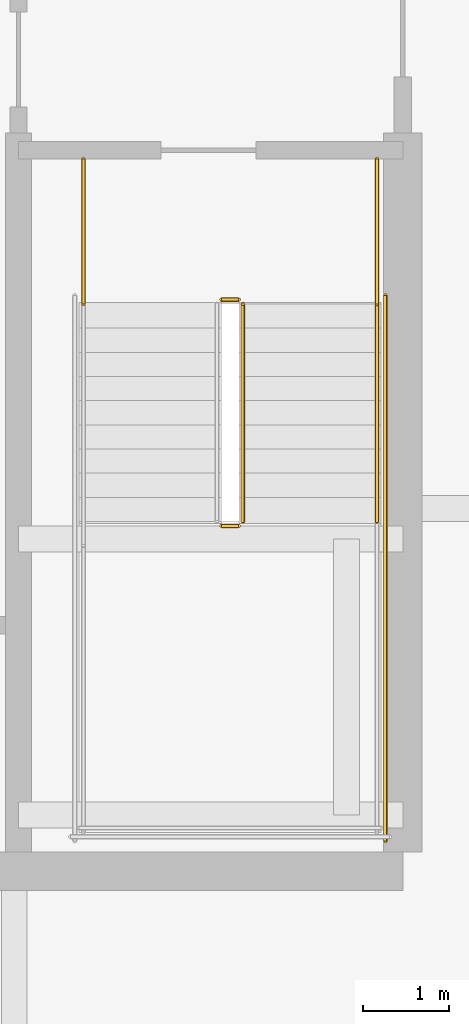
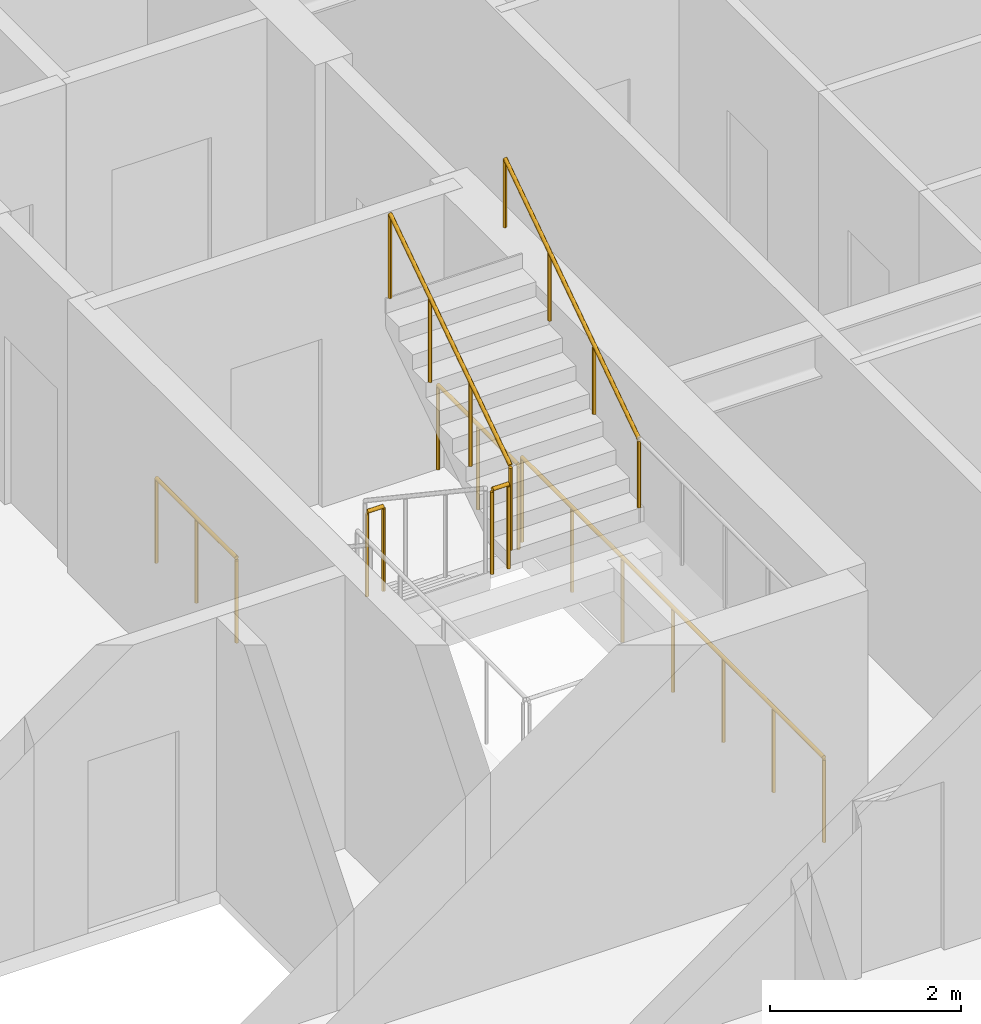
# One storey, part 33 of 35: 7 railings.
"""IFC4 building model written with IfcOpenShell, lengths in metres."""

from ifc_helpers import new_model, si_unit, direction, frame, origin, origin_2d, place, context, subcontext, project, spatial, circle, extrude, material, type_object, element, save


model = new_model("IFC4")

# Units and contexts
model_context = context("Model", 3, precision=1e-05, world=origin(), true_north=direction((0.0, 1.0)))
body_context = subcontext(model_context, "Body", "Model", "MODEL_VIEW")
ifc_project = project(units=[si_unit("LENGTHUNIT", "METRE"), si_unit("AREAUNIT", "SQUARE_METRE"), si_unit("VOLUMEUNIT", "CUBIC_METRE"), si_unit("PLANEANGLEUNIT", "RADIAN"), si_unit("MASSUNIT", "GRAM", prefix="KILO")], contexts=[model_context])

# Site, building, storey
site_placement = place(None, origin())
site = spatial("IfcSite", under=ifc_project, at=site_placement, CompositionType="ELEMENT")
building_placement = place(site_placement, origin())
building = spatial("IfcBuilding", under=site, at=building_placement, Name="Serunith Strait Residences", CompositionType="ELEMENT")
storey_placement = place(building_placement, frame((0.0, 0.0, 56.699951171875)))
storey = spatial("IfcBuildingStorey", under=building, at=storey_placement, Name="L13", CompositionType="ELEMENT", Elevation=56.699951171875)

# Railings
ifc_material = material(Name="Brushed stainless steel 316L", Category="steel")
railing_type_1 = type_object("IfcRailingType", Name="RLG-STAIR-GUARD", PredefinedType="BALUSTRADE", material=ifc_material)
railing_1_placement = place(storey_placement, frame((39.300048828125, 20.800048828125, 1.875)))
element("IfcRailing", 1, at=railing_1_placement, inside=storey, type_object=railing_type_1, Name="L13 ST-2 stair guard 2", PredefinedType="BALUSTRADE", context=body_context, shape_type="SweptSolid", body=[
    extrude(circle(Radius=0.02392578125, at=origin_2d()), frame((0.001953125, 0.0, 1.076171875), z_axis=(1.0, 0.0, 0.0), x_axis=(0.0, 1.0, 0.0)), (0.0, 0.0, 1.0), 0.196044921875),
    extrude(circle(Radius=0.02099609375, at=origin_2d()), origin(), (0.0, 0.0, 1.0), 1.050048828125),
    extrude(circle(Radius=0.02099609375, at=origin_2d()), frame((0.199951171875, 0.0, 0.0)), (0.0, 0.0, 1.0), 1.050048828125),
])
railing_2_placement = place(storey_placement, frame((39.550048828125, 20.85009765625, 2.0625)))
element("IfcRailing", 2, at=railing_2_placement, inside=storey, type_object=railing_type_1, Name="L13 ST-2 stair guard 6", PredefinedType="BALUSTRADE", context=body_context, shape_type="SweptSolid", body=[
    extrude(circle(Radius=0.02392578125, at=origin_2d()), frame((0.0, 0.001708984375, 1.0771484375), z_axis=(0.0, 0.830909170722, 0.55640807867), x_axis=(-1.0, 0.0, 0.0)), (0.0, 0.0, 1.0), 3.02880859375),
    extrude(circle(Radius=0.02099609375, at=origin_2d()), origin(), (0.0, 0.0, 1.0), 1.050048828125),
    extrude(circle(Radius=0.02099609375, at=origin_2d()), frame((0.0, 0.840087890625, 0.5625)), (0.0, 0.0, 1.0), 1.050048828125),
    extrude(circle(Radius=0.02099609375, at=origin_2d()), frame((0.0, 1.679931640625, 1.125)), (0.0, 0.0, 1.0), 1.050048828125),
    extrude(circle(Radius=0.02099609375, at=origin_2d()), frame((0.0, 2.52001953125, 1.6875)), (0.0, 0.0, 1.0), 1.050048828125),
])
railing_3_placement = place(storey_placement, frame((39.300048828125, 23.419921875, 0.0)))
element("IfcRailing", 3, at=railing_3_placement, inside=storey, type_object=railing_type_1, Name="L13 ST-2 stair guard 7", PredefinedType="BALUSTRADE", context=body_context, shape_type="SweptSolid", body=[
    extrude(circle(Radius=0.02392578125, at=origin_2d()), frame((0.001953125, 0.0, 1.076171875), z_axis=(1.0, 0.0, 0.0), x_axis=(0.0, 1.0, 0.0)), (0.0, 0.0, 1.0), 0.196044921875),
    extrude(circle(Radius=0.02099609375, at=origin_2d()), origin(), (0.0, 0.0, 1.0), 1.050048828125),
    extrude(circle(Radius=0.02099609375, at=origin_2d()), frame((0.199951171875, 0.0, 0.0)), (0.0, 0.0, 1.0), 1.050048828125),
])
for number, where, name in (
    (4, (37.699951171875, 25.050048828125, 0.0), "L13 ST-2 stair guard 8"),
    (5, (41.10009765625, 25.050048828125, 0.0), "L13 ST-2 stair guard 9"),
):
    element("IfcRailing", number, at=place(storey_placement, frame(where)), inside=storey, type_object=railing_type_1, Name=name, PredefinedType="BALUSTRADE", context=body_context, shape_type="SweptSolid", body=[
        extrude(circle(Radius=0.02392578125, at=origin_2d()), frame((0.0, -0.001953125, 1.076171875), z_axis=(0.0, -1.0, 0.0), x_axis=(1.0, 0.0, 0.0)), (0.0, 0.0, 1.0), 1.676025390625),
        extrude(circle(Radius=0.02099609375, at=origin_2d()), origin(), (0.0, 0.0, 1.0), 1.050048828125),
        extrude(circle(Radius=0.02099609375, at=origin_2d()), frame((0.0, -0.83984375, 0.0)), (0.0, 0.0, 1.0), 1.050048828125),
        extrude(circle(Radius=0.02099609375, at=origin_2d()), frame((0.0, -1.679931640625, 0.0)), (0.0, 0.0, 1.0), 1.050048828125),
    ])
railing_4_placement = place(storey_placement, frame((41.199951171875, 23.469970703125, 0.0)))
element("IfcRailing", 6, at=railing_4_placement, inside=storey, type_object=railing_type_1, Name="L13 ST-2 stair guard 11", PredefinedType="BALUSTRADE", context=body_context, shape_type="SweptSolid", body=[
    extrude(circle(Radius=0.02392578125, at=origin_2d()), frame((0.0, -0.001953125, 1.076171875), z_axis=(0.0, -1.0, 0.0), x_axis=(1.0, 0.0, 0.0)), (0.0, 0.0, 1.0), 6.316162109375),
    extrude(circle(Radius=0.02099609375, at=origin_2d()), origin(), (0.0, 0.0, 1.0), 1.050048828125),
    extrude(circle(Radius=0.02099609375, at=origin_2d()), frame((0.0, -1.05322265625, 0.0)), (0.0, 0.0, 1.0), 1.050048828125),
    extrude(circle(Radius=0.02099609375, at=origin_2d()), frame((0.0, -2.106689453125, 0.0)), (0.0, 0.0, 1.0), 1.050048828125),
    extrude(circle(Radius=0.02099609375, at=origin_2d()), frame((0.0, -3.16015625, 0.0)), (0.0, 0.0, 1.0), 1.050048828125),
    extrude(circle(Radius=0.02099609375, at=origin_2d()), frame((0.0, -4.21337890625, 0.0)), (0.0, 0.0, 1.0), 1.050048828125),
    extrude(circle(Radius=0.02099609375, at=origin_2d()), frame((0.0, -5.2666015625, 0.0)), (0.0, 0.0, 1.0), 1.050048828125),
    extrude(circle(Radius=0.02099609375, at=origin_2d()), frame((0.0, -6.320068359375, 0.0)), (0.0, 0.0, 1.0), 1.050048828125),
])
railing_type_2 = type_object("IfcRailingType", Name="RLG-STAIR-HR", PredefinedType="HANDRAIL", material=ifc_material)
railing_5_placement = place(storey_placement, frame((41.10009765625, 20.85009765625, 2.0625)))
element("IfcRailing", 7, at=railing_5_placement, inside=storey, type_object=railing_type_2, Name="L13 ST-2 stair handrail 2", PredefinedType="HANDRAIL", context=body_context, shape_type="SweptSolid", body=[
    extrude(circle(Radius=0.02392578125, at=origin_2d()), frame((0.0, 0.001708984375, 0.876953125), z_axis=(0.0, 0.830185712471, 0.557486935101), x_axis=(-1.0, 0.0, 0.0)), (0.0, 0.0, 1.0), 3.368408203125),
    extrude(circle(Radius=0.02099609375, at=origin_2d()), origin(), (0.0, 0.0, 1.0), 0.849853515625),
    extrude(circle(Radius=0.02099609375, at=origin_2d()), frame((0.0, 0.933349609375, 0.626708984375)), (0.0, 0.0, 1.0), 0.849853515625),
    extrude(circle(Radius=0.02099609375, at=origin_2d()), frame((0.0, 1.866455078125, 1.25341796875)), (0.0, 0.0, 1.0), 0.849853515625),
    extrude(circle(Radius=0.02099609375, at=origin_2d()), frame((0.0, 2.7998046875, 1.880126953125)), (0.0, 0.0, 1.0), 0.849853515625),
])

save(model, "model.ifc")
